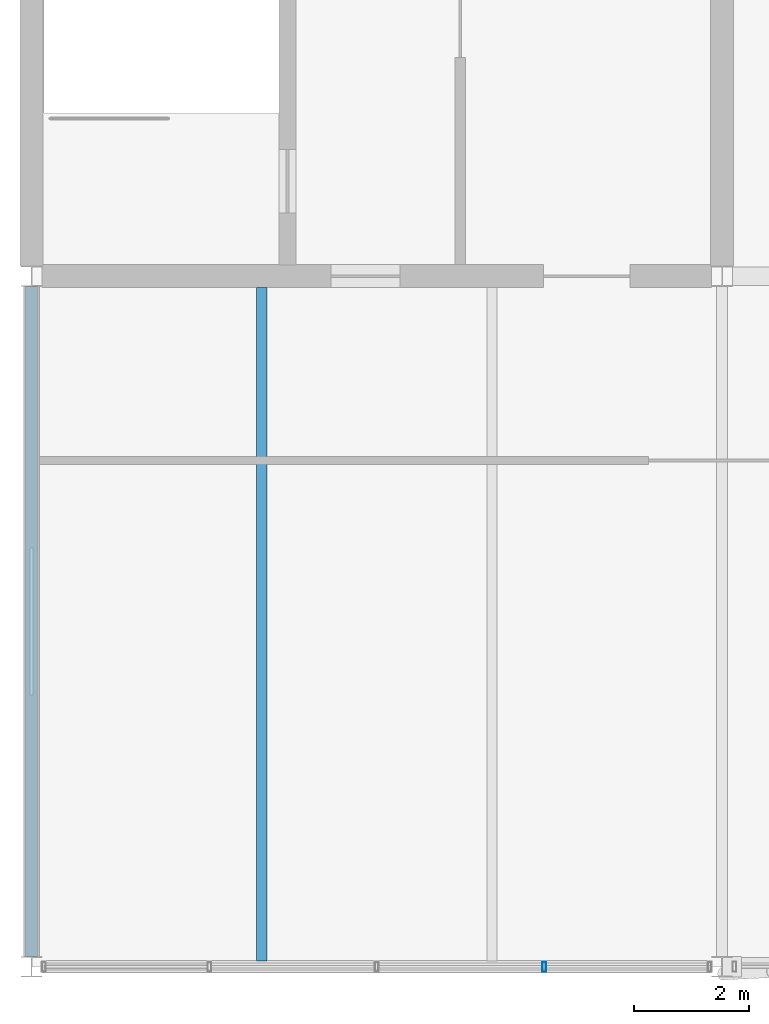
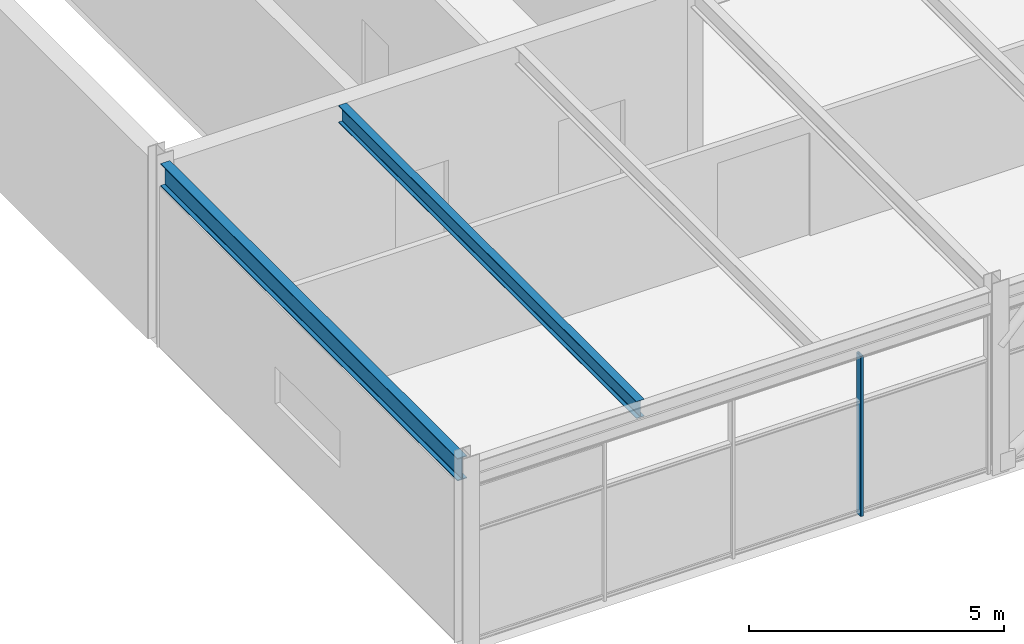
# One storey, part 4 of 28: 2 beams, 1 member, 1 element without a shape of its own.
"""IFC4 building model written with IfcOpenShell, lengths in metres."""

from ifc_helpers import new_model, si_unit, direction, frame, origin, origin_2d, place, context, subcontext, project, spatial, hollow_rectangle, i_section, extrude, material, material_profile, profile_set, type_object, element, aggregate, save


model = new_model("IFC4")

# Units and contexts
model_context = context("Model", 3, precision=1e-05, world=origin(), true_north=direction((0.0, 1.0)))
body_context = subcontext(model_context, "Body", "Model", "MODEL_VIEW")
ifc_project = project(units=[si_unit("LENGTHUNIT", "METRE"), si_unit("AREAUNIT", "SQUARE_METRE"), si_unit("VOLUMEUNIT", "CUBIC_METRE"), si_unit("PLANEANGLEUNIT", "RADIAN"), si_unit("MASSUNIT", "GRAM", prefix="KILO")], contexts=[model_context])

# Site, building, storey
site_placement = place(None, origin())
site = spatial("IfcSite", under=ifc_project, at=site_placement, CompositionType="ELEMENT")
building_placement = place(site_placement, origin())
building = spatial("IfcBuilding", under=site, at=building_placement, Name="Girod Span Mobility Hub", CompositionType="ELEMENT")
storey_placement = place(building_placement, frame((0.0, 0.0, 69.60009765625)))
storey = spatial("IfcBuildingStorey", under=building, at=storey_placement, Name="L17", CompositionType="ELEMENT", Elevation=69.60009765625)

# Beams
ifc_material_1 = material(Name="Steel A992 Grade 50", Category="steel")
ifc_material_profile_1 = material_profile(ifc_material_1, i_section(OverallWidth=0.178955078125, OverallDepth=0.409912109375, WebThickness=0.0087890625, FlangeThickness=0.014404296875, FilletRadius=0.012939453125, at=origin_2d()), Name="W16X45")
ifc_profile_set_1 = profile_set([ifc_material_profile_1], Name="Steel A992 Grade 50")
beam_type_1 = type_object("IfcBeamType", Name="BM-STL-W16X45", PredefinedType="BEAM", material=ifc_profile_set_1)
beam_1_placement = place(storey_placement, frame((52.0, 45.10302734375, 4.1748046875), z_axis=(0.0, 1.0, 0.0), x_axis=(-1.0, 0.0, 0.0)))
element("IfcBeam", 1, at=beam_1_placement, inside=storey, type_object=beam_type_1, Name="Composite Floorbeam 5/D-1 L17", PredefinedType="BEAM", context=body_context, shape_type="SweptSolid", body=[
    extrude(i_section(OverallWidth=0.178955078125, OverallDepth=0.409912109375, WebThickness=0.0087890625, FlangeThickness=0.014404296875, FilletRadius=0.012939453125, at=origin_2d()), origin(), (0.0, 0.0, 1.0), 11.699951171875),
])
ifc_material_2 = material(Name="Steel A992 Grade 50", Category="steel")
ifc_material_profile_2 = material_profile(ifc_material_2, i_section(OverallWidth=0.2119140625, OverallDepth=0.5439453125, WebThickness=0.01318359375, FlangeThickness=0.021240234375, FilletRadius=0.014892578125, at=origin_2d()), Name="W21X83")
ifc_profile_set_2 = profile_set([ifc_material_profile_2], Name="Steel A992 Grade 50")
beam_type_2 = type_object("IfcBeamType", Name="BM-STL-W21X83", PredefinedType="SPANDREL", material=ifc_profile_set_2)
beam_2_placement = place(storey_placement, frame((48.0, 45.175048828125, 4.10791015625), z_axis=(0.0, 1.0, 0.0), x_axis=(-1.0, 0.0, 0.0)))
element("IfcBeam", 2, at=beam_2_placement, inside=storey, type_object=beam_type_2, Name="Tie Girder 5/D-E L17", PredefinedType="SPANDREL", context=body_context, shape_type="SweptSolid", body=[
    extrude(i_section(OverallWidth=0.2119140625, OverallDepth=0.5439453125, WebThickness=0.01318359375, FlangeThickness=0.021240234375, FilletRadius=0.014892578125, at=origin_2d()), origin(), (0.0, 0.0, 1.0), 11.64990234375),
])

# Curtain wall, member
ifc_material_3 = material(Name="Thermally Broken Anodised Aluminium", Category="aluminium")
curtain_wall_type = type_object("IfcCurtainWallType", Name="CW-1164X384", PredefinedType="USERDEFINED", material=ifc_material_3)
curtain_wall_placement = place(storey_placement, origin())
curtain_wall = element("IfcCurtainWall", 3, at=curtain_wall_placement, inside=storey, type_object=curtain_wall_type, Name="Unitised Curtain Wall CW-L17-S05 L17", ObjectType="UNITISED CURTAIN WALL", PredefinedType="USERDEFINED")
ifc_material_4 = material(Name="Thermally Broken Anodised Aluminium", Category="aluminium")
ifc_material_profile_3 = material_profile(ifc_material_4, hollow_rectangle(XDim=0.179931640625, YDim=0.06494140625, WallThickness=0.00390625, InnerFilletRadius=0.00390625, OuterFilletRadius=0.008056640625, at=origin_2d()), Name="CW-ML-65X180")
ifc_profile_set_3 = profile_set([ifc_material_profile_3], Name="Thermally Broken Anodised Aluminium")
member_type = type_object("IfcMemberType", Name="CWM-ML-2", PredefinedType="MULLION", material=ifc_profile_set_3)
member_placement = place(storey_placement, frame((56.90869140625, 45.0, 0.0), z_axis=(0.0, 0.0, 1.0), x_axis=(0.0, 1.0, 0.0)))
member = element("IfcMember", 4, at=member_placement, type_object=member_type, Name="Curtain Wall Mullion CW-L17-S05-M3", PredefinedType="MULLION", context=body_context, shape_type="SweptSolid", body=[
    extrude(hollow_rectangle(XDim=0.179931640625, YDim=0.06494140625, WallThickness=0.00390625, InnerFilletRadius=0.00390625, OuterFilletRadius=0.008056640625, at=origin_2d()), origin(), (0.0, 0.0, 1.0), 3.8359375),
])
aggregate(curtain_wall, [member])

save(model, "model.ifc")
